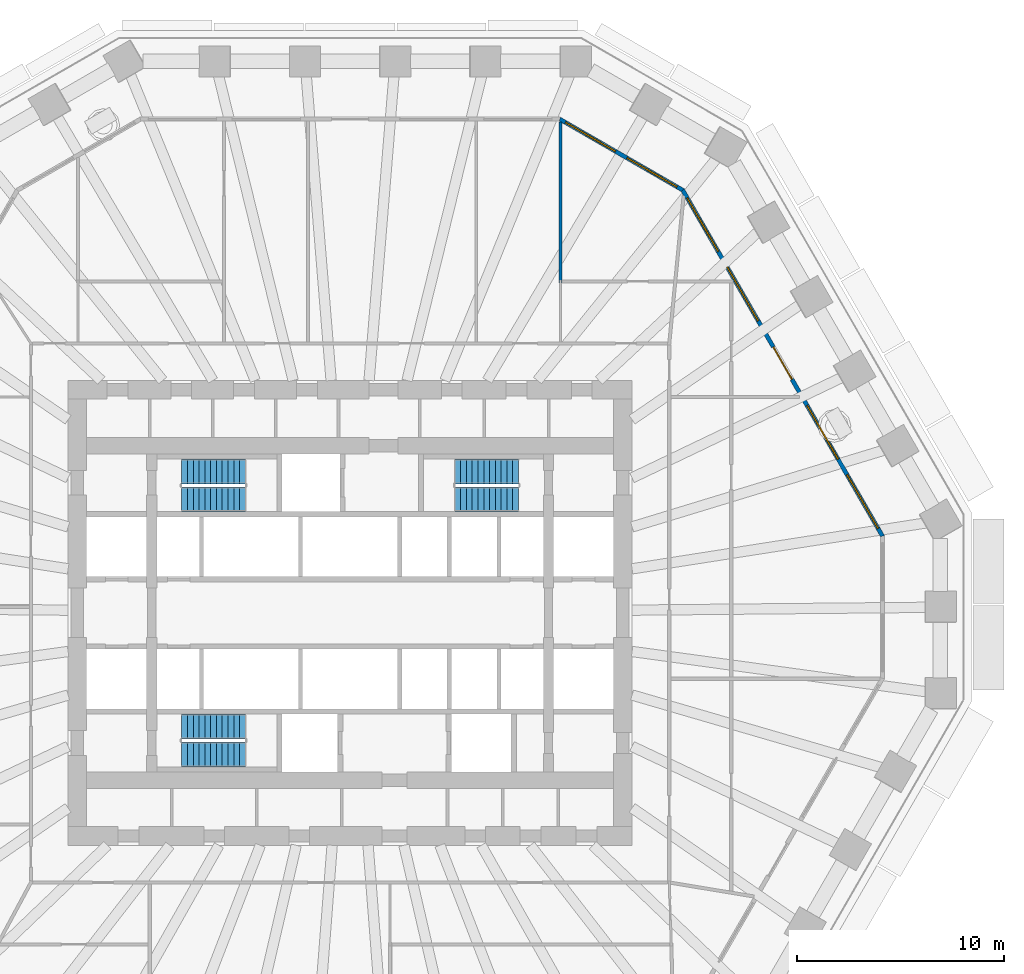
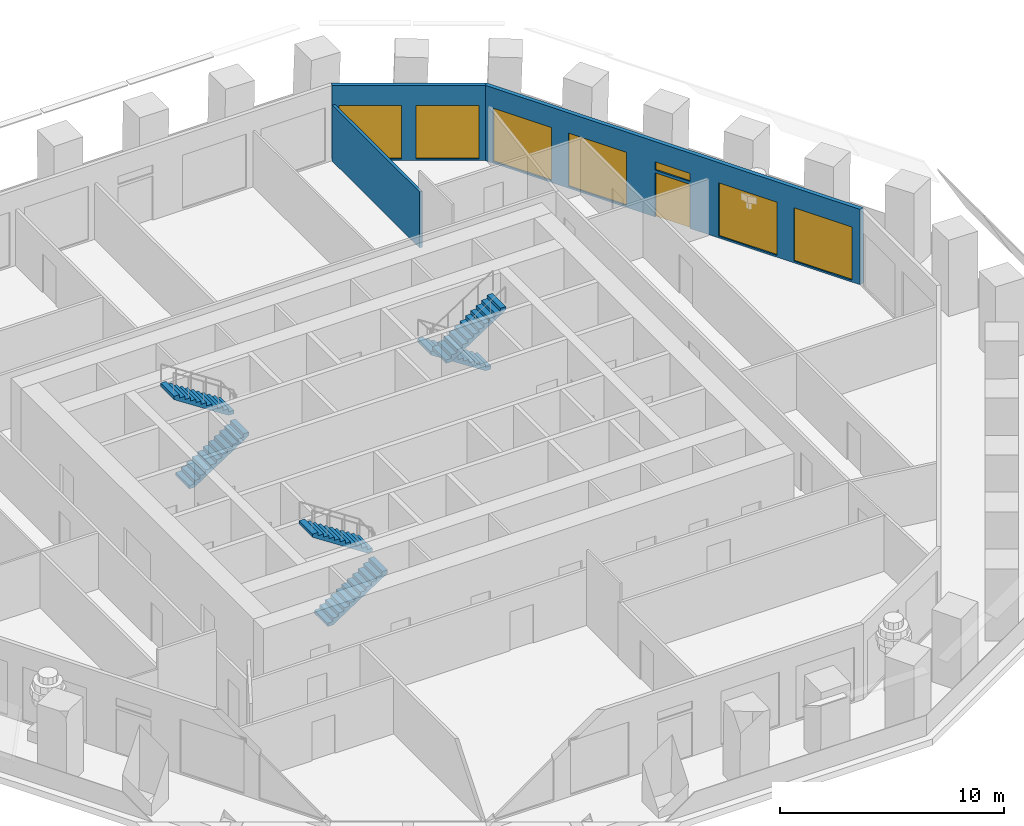
# One storey, part 9 of 13: 7 windows, 6 stair flights, 3 walls, 1 door, 8 openings, 3 elements without a shape of their own.
"""IFC4 building model written with IfcOpenShell, lengths in metres."""

from ifc_helpers import new_model, si_unit, direction, frame, frame_2d, origin, place, context, subcontext, project, spatial, polyline, rectangle, outline, extrude, material, layer, layer_set, type_object, element, fill, aggregate, save


model = new_model("IFC4")

# Units and contexts
model_context = context("Model", 3, precision=1e-05, world=origin(), true_north=direction((0.0, 1.0)))
body_context = subcontext(model_context, "Body", "Model", "MODEL_VIEW")
ifc_project = project(units=[si_unit("LENGTHUNIT", "METRE"), si_unit("AREAUNIT", "SQUARE_METRE"), si_unit("VOLUMEUNIT", "CUBIC_METRE"), si_unit("PLANEANGLEUNIT", "RADIAN"), si_unit("MASSUNIT", "GRAM", prefix="KILO")], contexts=[model_context])

# Site, building, storey
site_placement = place(None, origin())
site = spatial("IfcSite", under=ifc_project, at=site_placement, CompositionType="ELEMENT")
building_placement = place(site_placement, origin())
building = spatial("IfcBuilding", under=site, at=building_placement, Name="Frailejon Research Tower", CompositionType="ELEMENT")
storey_placement = place(building_placement, frame((0.0, 0.0, 23.39990234375)))
storey = spatial("IfcBuildingStorey", under=building, at=storey_placement, Name="L05", CompositionType="ELEMENT", Elevation=23.39990234375)

# Wall
ifc_material_1 = material(Name="Gypsum board and masonry partition", Category="masonry")
ifc_layer_1 = layer(ifc_material_1, 0.14990234375)
ifc_layer_set_1 = layer_set([ifc_layer_1], Name="Laboratory partition, blockwork 150")
wall_type_1 = type_object("IfcWallType", Name="Laboratory partition, blockwork 150", PredefinedType="PARTITIONING", material=ifc_layer_set_1)
wall_1_placement = place(storey_placement, frame((10.17578125, 15.97509765625, 0.0), z_axis=(0.0, 0.0, 1.0), x_axis=(0.0, 1.0, 0.0)))
element("IfcWall", 1, at=wall_1_placement, inside=storey, type_object=wall_type_1, Name="T:IW:L05:011", PredefinedType="PARTITIONING", context=body_context, shape_type="SweptSolid", body=[
    extrude(rectangle(XDim=7.7939453125, YDim=0.14990234375, at=frame_2d((3.89697265625, 0.0))), origin(), (0.0, 0.0, 1.0), 3.050048828125),
])

# Wall, openings, door, windows
ifc_material_2 = material(Name="Concrete C40/50 precast window wall panel", Category="concrete")
ifc_layer_2 = layer(ifc_material_2, 0.199951171875)
ifc_layer_set_2 = layer_set([ifc_layer_2], Name="Window wall 200")
wall_type_2 = type_object("IfcWallType", Name="Window wall 200", PredefinedType="SOLIDWALL", material=ifc_layer_set_2)
wall_2_placement = place(storey_placement, frame((25.7724609375, 3.7138671875, 0.0), z_axis=(0.0, 0.0, 1.0), x_axis=(-0.500000373815, 0.866025187962, 0.0)))
wall_2 = element("IfcWall", 2, at=wall_2_placement, inside=storey, type_object=wall_type_2, Name="Exterior wall L05", PredefinedType="SOLIDWALL", context=body_context, shape_type="SweptSolid", body=[
    extrude(outline(polyline([(-0.02685546875, -0.10009765625), (0.993896484375, -0.10009765625), (2.0146484375, -0.10009765625), (3.035400390625, -0.10009765625), (4.055908203125, -0.10009765625), (5.07666015625, -0.10009765625), (6.097412109375, -0.10009765625), (7.1181640625, -0.10009765625), (8.138916015625, -0.10009765625), (9.15966796875, -0.10009765625), (10.18017578125, -0.10009765625), (11.200927734375, -0.10009765625), (12.2216796875, -0.10009765625), (13.242431640625, -0.10009765625), (14.26318359375, -0.10009765625), (15.283935546875, -0.10009765625), (16.304443359375, -0.10009765625), (17.3251953125, -0.10009765625), (18.345947265625, -0.10009765625), (19.36669921875, -0.10009765625), (19.31298828125, 0.10009765625), (18.2978515625, 0.10009765625), (17.282958984375, 0.10009765625), (16.267822265625, 0.10009765625), (15.252685546875, 0.10009765625), (14.23779296875, 0.10009765625), (13.22265625, 0.10009765625), (12.20751953125, 0.10009765625), (11.192626953125, 0.10009765625), (10.177490234375, 0.10009765625), (9.162353515625, 0.10009765625), (8.147216796875, 0.10009765625), (7.13232421875, 0.10009765625), (6.1171875, 0.10009765625), (5.10205078125, 0.10009765625), (4.087158203125, 0.10009765625), (3.072021484375, 0.10009765625), (2.056884765625, 0.10009765625), (1.0419921875, 0.10009765625), (0.02685546875, 0.10009765625), (-0.02685546875, -0.10009765625)])), origin(), (0.0, 0.0, 1.0), 4.10009765625),
])
opening_1_placement = place(wall_2_placement, frame((0.43408203125, 0.0, 0.10009765625)))
opening_1 = element("IfcOpeningElement", 3, at=opening_1_placement, cuts=wall_2, Name="Opening W4", PredefinedType="OPENING", context=body_context, shape_type="SweptSolid", body=[
    extrude(rectangle(XDim=3.0, YDim=2.89990234375, at=frame_2d((1.5, 1.449951171875))), frame((0.0, 0.10986328125, 0.0), z_axis=(0.0, -1.0, 0.0), x_axis=(1.0, 0.0, 0.0)), (0.0, 0.0, 1.0), 0.219970703125),
])
opening_2_placement = place(wall_2_placement, frame((4.302001953125, 0.0, 0.10009765625)))
opening_2 = element("IfcOpeningElement", 4, at=opening_2_placement, cuts=wall_2, Name="Opening W4", PredefinedType="OPENING", context=body_context, shape_type="SweptSolid", body=[
    extrude(rectangle(XDim=3.0, YDim=2.89990234375, at=frame_2d((1.5, 1.449951171875))), frame((0.0, 0.10986328125, 0.0), z_axis=(0.0, -1.0, 0.0), x_axis=(1.0, 0.0, 0.0)), (0.0, 0.0, 1.0), 0.219970703125),
])
opening_3_placement = place(wall_2_placement, frame((8.77001953125, 0.0, 0.0)))
opening_3 = element("IfcOpeningElement", 5, at=opening_3_placement, cuts=wall_2, Name="Opening LG05-1", PredefinedType="OPENING", context=body_context, shape_type="SweptSolid", body=[
    extrude(rectangle(XDim=1.800048828125, YDim=2.39990234375, at=frame_2d((0.89990234375, 1.199951171875))), frame((0.0, 0.10986328125, 0.0), z_axis=(0.0, -1.0, 0.0), x_axis=(1.0, 0.0, 0.0)), (0.0, 0.0, 1.0), 0.219970703125),
])
opening_4_placement = place(wall_2_placement, frame((8.77001953125, 0.0, 2.550048828125)))
opening_4 = element("IfcOpeningElement", 6, at=opening_4_placement, cuts=wall_2, Name="Opening W1", PredefinedType="OPENING", context=body_context, shape_type="SweptSolid", body=[
    extrude(rectangle(XDim=1.800048828125, YDim=0.449951171875, at=frame_2d((0.89990234375, 0.22509765625))), frame((0.0, 0.10986328125, 0.0), z_axis=(0.0, -1.0, 0.0), x_axis=(1.0, 0.0, 0.0)), (0.0, 0.0, 1.0), 0.219970703125),
])
opening_5_placement = place(wall_2_placement, frame((12.037841796875, 0.0, 0.10009765625)))
opening_5 = element("IfcOpeningElement", 7, at=opening_5_placement, cuts=wall_2, Name="Opening W4", PredefinedType="OPENING", context=body_context, shape_type="SweptSolid", body=[
    extrude(rectangle(XDim=3.0, YDim=2.89990234375, at=frame_2d((1.5, 1.449951171875))), frame((0.0, 0.10986328125, 0.0), z_axis=(0.0, -1.0, 0.0), x_axis=(1.0, 0.0, 0.0)), (0.0, 0.0, 1.0), 0.219970703125),
])
opening_6_placement = place(wall_2_placement, frame((15.906005859375, 0.0, 0.10009765625)))
opening_6 = element("IfcOpeningElement", 8, at=opening_6_placement, cuts=wall_2, Name="Opening W4", PredefinedType="OPENING", context=body_context, shape_type="SweptSolid", body=[
    extrude(rectangle(XDim=3.0, YDim=2.89990234375, at=frame_2d((1.5, 1.449951171875))), frame((0.0, 0.10986328125, 0.0), z_axis=(0.0, -1.0, 0.0), x_axis=(1.0, 0.0, 0.0)), (0.0, 0.0, 1.0), 0.219970703125),
])
ifc_material_3 = material(Name="Aluminium framed glazed door leaf", Category="aluminium")
door_type = type_object("IfcDoorType", Name="Loggia door 1800x2400", OperationType="DOUBLE_DOOR_SINGLE_SWING", PredefinedType="DOOR", material=ifc_material_3)
door_placement = place(opening_3_placement, origin())
door = element("IfcDoor", 9, at=door_placement, inside=storey, type_object=door_type, Name="Door LG05-1", OperationType="DOUBLE_DOOR_SINGLE_SWING", OverallHeight=2.39990234375, OverallWidth=1.800048828125, PredefinedType="DOOR", context=body_context, shape_type="SweptSolid", body=[
    extrude(rectangle(XDim=1.800048828125, YDim=2.39990234375, at=frame_2d((0.89990234375, 1.199951171875))), frame((0.0, 0.02490234375, 0.0), z_axis=(0.0, -1.0, 0.0), x_axis=(1.0, 0.0, 0.0)), (0.0, 0.0, 1.0), 0.050048828125),
])
fill(opening_3, door)
ifc_material_4 = material(Name="Aluminium framed double glazing", Category="aluminium")
window_type_1 = type_object("IfcWindowType", Name="Window 1800x450", PartitioningType="SINGLE_PANEL", PredefinedType="WINDOW", material=ifc_material_4)
window_1_placement = place(opening_4_placement, origin())
window_1 = element("IfcWindow", 10, at=window_1_placement, inside=storey, type_object=window_type_1, Name="Window L05", OverallHeight=0.449951171875, OverallWidth=1.800048828125, PartitioningType="SINGLE_PANEL", PredefinedType="WINDOW", context=body_context, shape_type="SweptSolid", body=[
    extrude(rectangle(XDim=1.800048828125, YDim=0.449951171875, at=frame_2d((0.89990234375, 0.22509765625))), frame((0.0, 0.030029296875, 0.0), z_axis=(0.0, -1.0, 0.0), x_axis=(1.0, 0.0, 0.0)), (0.0, 0.0, 1.0), 0.06005859375),
])
fill(opening_4, window_1)
ifc_material_5 = material(Name="Aluminium framed double glazing", Category="aluminium")
window_type_2 = type_object("IfcWindowType", Name="Window 3000x2900", PartitioningType="SINGLE_PANEL", PredefinedType="WINDOW", material=ifc_material_5)
window_2_placement = place(opening_1_placement, origin())
window_2 = element("IfcWindow", 11, at=window_2_placement, inside=storey, type_object=window_type_2, Name="Window L05", OverallHeight=2.89990234375, OverallWidth=3.0, PartitioningType="SINGLE_PANEL", PredefinedType="WINDOW", context=body_context, shape_type="SweptSolid", body=[
    extrude(rectangle(XDim=3.0, YDim=2.89990234375, at=frame_2d((1.5, 1.449951171875))), frame((0.0, 0.030029296875, 0.0), z_axis=(0.0, -1.0, 0.0), x_axis=(1.0, 0.0, 0.0)), (0.0, 0.0, 1.0), 0.06005859375),
])
fill(opening_1, window_2)
window_3_placement = place(opening_2_placement, origin())
window_3 = element("IfcWindow", 12, at=window_3_placement, inside=storey, type_object=window_type_2, Name="Window L05", OverallHeight=2.89990234375, OverallWidth=3.0, PartitioningType="SINGLE_PANEL", PredefinedType="WINDOW", context=body_context, shape_type="SweptSolid", body=[
    extrude(rectangle(XDim=3.0, YDim=2.89990234375, at=frame_2d((1.5, 1.449951171875))), frame((0.0, 0.030029296875, 0.0), z_axis=(0.0, -1.0, 0.0), x_axis=(1.0, 0.0, 0.0)), (0.0, 0.0, 1.0), 0.06005859375),
])
fill(opening_2, window_3)
window_4_placement = place(opening_5_placement, origin())
window_4 = element("IfcWindow", 13, at=window_4_placement, inside=storey, type_object=window_type_2, Name="Window L05", OverallHeight=2.89990234375, OverallWidth=3.0, PartitioningType="SINGLE_PANEL", PredefinedType="WINDOW", context=body_context, shape_type="SweptSolid", body=[
    extrude(rectangle(XDim=3.0, YDim=2.89990234375, at=frame_2d((1.5, 1.449951171875))), frame((0.0, 0.030029296875, 0.0), z_axis=(0.0, -1.0, 0.0), x_axis=(1.0, 0.0, 0.0)), (0.0, 0.0, 1.0), 0.06005859375),
])
fill(opening_5, window_4)
window_5_placement = place(opening_6_placement, origin())
window_5 = element("IfcWindow", 14, at=window_5_placement, inside=storey, type_object=window_type_2, Name="Window L05", OverallHeight=2.89990234375, OverallWidth=3.0, PartitioningType="SINGLE_PANEL", PredefinedType="WINDOW", context=body_context, shape_type="SweptSolid", body=[
    extrude(rectangle(XDim=3.0, YDim=2.89990234375, at=frame_2d((1.5, 1.449951171875))), frame((0.0, 0.030029296875, 0.0), z_axis=(0.0, -1.0, 0.0), x_axis=(1.0, 0.0, 0.0)), (0.0, 0.0, 1.0), 0.06005859375),
])
fill(opening_6, window_5)

# Wall, openings, windows
wall_3_placement = place(storey_placement, frame((16.1025390625, 20.462646484375, 0.0), z_axis=(0.0, 0.0, 1.0), x_axis=(-0.866029458321, 0.49999297727, 0.0)))
wall_3 = element("IfcWall", 15, at=wall_3_placement, inside=storey, type_object=wall_type_2, Name="Exterior wall L05", PredefinedType="SOLIDWALL", context=body_context, shape_type="SweptSolid", body=[
    extrude(outline(polyline([(-0.02685546875, -0.10009765625), (1.1279296875, -0.10009765625), (2.282470703125, -0.10009765625), (3.437255859375, -0.10009765625), (4.592041015625, -0.10009765625), (5.74658203125, -0.10009765625), (6.9013671875, -0.10009765625), (6.84765625, 0.10009765625), (5.7109375, 0.10009765625), (4.573974609375, 0.10009765625), (3.437255859375, 0.10009765625), (2.300537109375, 0.10009765625), (1.16357421875, 0.10009765625), (0.02685546875, 0.10009765625), (-0.02685546875, -0.10009765625)])), origin(), (0.0, 0.0, 1.0), 4.10009765625),
])
opening_7_placement = place(wall_3_placement, frame((0.318603515625, 0.0, 0.10009765625)))
opening_7 = element("IfcOpeningElement", 16, at=opening_7_placement, cuts=wall_3, Name="Opening W3", PredefinedType="OPENING", context=body_context, shape_type="SweptSolid", body=[
    extrude(rectangle(XDim=2.800048828125, YDim=2.89990234375, at=frame_2d((1.39990234375, 1.449951171875))), frame((0.0, 0.10986328125, 0.0), z_axis=(0.0, -1.0, 0.0), x_axis=(1.0, 0.0, 0.0)), (0.0, 0.0, 1.0), 0.219970703125),
])
opening_8_placement = place(wall_3_placement, frame((3.756103515625, 0.0, 0.10009765625)))
opening_8 = element("IfcOpeningElement", 17, at=opening_8_placement, cuts=wall_3, Name="Opening W3", PredefinedType="OPENING", context=body_context, shape_type="SweptSolid", body=[
    extrude(rectangle(XDim=2.800048828125, YDim=2.89990234375, at=frame_2d((1.39990234375, 1.449951171875))), frame((0.0, 0.10986328125, 0.0), z_axis=(0.0, -1.0, 0.0), x_axis=(1.0, 0.0, 0.0)), (0.0, 0.0, 1.0), 0.219970703125),
])
ifc_material_6 = material(Name="Aluminium framed double glazing", Category="aluminium")
window_type_3 = type_object("IfcWindowType", Name="Window 2800x2900", PartitioningType="SINGLE_PANEL", PredefinedType="WINDOW", material=ifc_material_6)
window_6_placement = place(opening_7_placement, origin())
window_6 = element("IfcWindow", 18, at=window_6_placement, inside=storey, type_object=window_type_3, Name="Window L05", OverallHeight=2.89990234375, OverallWidth=2.800048828125, PartitioningType="SINGLE_PANEL", PredefinedType="WINDOW", context=body_context, shape_type="SweptSolid", body=[
    extrude(rectangle(XDim=2.800048828125, YDim=2.89990234375, at=frame_2d((1.39990234375, 1.449951171875))), frame((0.0, 0.030029296875, 0.0), z_axis=(0.0, -1.0, 0.0), x_axis=(1.0, 0.0, 0.0)), (0.0, 0.0, 1.0), 0.06005859375),
])
fill(opening_7, window_6)
window_7_placement = place(opening_8_placement, origin())
window_7 = element("IfcWindow", 19, at=window_7_placement, inside=storey, type_object=window_type_3, Name="Window L05", OverallHeight=2.89990234375, OverallWidth=2.800048828125, PartitioningType="SINGLE_PANEL", PredefinedType="WINDOW", context=body_context, shape_type="SweptSolid", body=[
    extrude(rectangle(XDim=2.800048828125, YDim=2.89990234375, at=frame_2d((1.39990234375, 1.449951171875))), frame((0.0, 0.030029296875, 0.0), z_axis=(0.0, -1.0, 0.0), x_axis=(1.0, 0.0, 0.0)), (0.0, 0.0, 1.0), 0.06005859375),
])
fill(opening_8, window_7)

# Stair, stair flights
ifc_material_7 = material(Name="Concrete C50/60", Category="concrete")
stair_type = type_object("IfcStairType", Name="Exit stair 24 risers", PredefinedType="HALF_TURN_STAIR", material=ifc_material_7)
stair_1_placement = place(storey_placement, origin())
stair_1 = element("IfcStair", 20, at=stair_1_placement, inside=storey, type_object=stair_type, Name="L05 Exit stair ST1", PredefinedType="HALF_TURN_STAIR")
ifc_material_8 = material(Name="Concrete C50/60", Category="concrete")
ifc_layer_3 = layer(ifc_material_8, 0.14990234375)
ifc_layer_set_3 = layer_set([ifc_layer_3], Name="Stair flight 12 risers")
stair_flight_type = type_object("IfcStairFlightType", Name="Stair flight 12 risers", PredefinedType="STRAIGHT", material=ifc_layer_set_3)
stair_flight_1_placement = place(storey_placement, frame((-8.14990234375, 5.5, 0.0), z_axis=(0.0, 0.0, 1.0), x_axis=(1.0, 0.0, 0.0)))
stair_flight_1 = element("IfcStairFlight", 21, at=stair_flight_1_placement, type_object=stair_flight_type, Name="ST1 flight 1", NumberOfRisers=12, NumberOfTreads=11, PredefinedType="STRAIGHT", RiserHeight=0.183333333, TreadLength=0.28, context=body_context, shape_type="SweptSolid", body=[
    extrude(outline(polyline([(0.0, 0.0), (0.0, 0.183349609375), (0.280029296875, 0.183349609375), (0.280029296875, 0.36669921875), (0.56005859375, 0.36669921875), (0.56005859375, 0.550048828125), (0.840087890625, 0.550048828125), (0.840087890625, 0.7333984375), (1.1201171875, 0.7333984375), (1.1201171875, 0.916748046875), (1.39990234375, 0.916748046875), (1.39990234375, 1.10009765625), (1.679931640625, 1.10009765625), (1.679931640625, 1.283447265625), (1.9599609375, 1.283447265625), (1.9599609375, 1.466552734375), (2.239990234375, 1.466552734375), (2.239990234375, 1.64990234375), (2.52001953125, 1.64990234375), (2.52001953125, 1.833251953125), (2.800048828125, 1.833251953125), (2.800048828125, 2.0166015625), (3.080078125, 2.0166015625), (3.080078125, 2.199951171875), (3.080078125, 1.83740234375), (0.273681640625, 0.0), (0.0, 0.0)])), frame((0.0, 0.60009765625, 0.0), z_axis=(0.0, -1.0, 0.0), x_axis=(1.0, 0.0, 0.0)), (0.0, 0.0, 1.0), 1.199951171875),
])
stair_flight_2_placement = place(storey_placement, frame((-5.070068359375, 6.85009765625, 2.2001953125), z_axis=(0.0, 0.0, 1.0), x_axis=(-1.0, 0.0, 0.0)))
stair_flight_2 = element("IfcStairFlight", 22, at=stair_flight_2_placement, type_object=stair_flight_type, Name="ST1 flight 2", NumberOfRisers=12, NumberOfTreads=11, PredefinedType="STRAIGHT", RiserHeight=0.183333333, TreadLength=0.28, context=body_context, shape_type="SweptSolid", body=[
    extrude(outline(polyline([(0.0, 0.0), (0.0, 0.183349609375), (0.280029296875, 0.183349609375), (0.280029296875, 0.36669921875), (0.56005859375, 0.36669921875), (0.56005859375, 0.550048828125), (0.840087890625, 0.550048828125), (0.840087890625, 0.7333984375), (1.1201171875, 0.7333984375), (1.1201171875, 0.916748046875), (1.39990234375, 0.916748046875), (1.39990234375, 1.10009765625), (1.679931640625, 1.10009765625), (1.679931640625, 1.283447265625), (1.9599609375, 1.283447265625), (1.9599609375, 1.466552734375), (2.239990234375, 1.466552734375), (2.239990234375, 1.64990234375), (2.52001953125, 1.64990234375), (2.52001953125, 1.833251953125), (2.800048828125, 1.833251953125), (2.800048828125, 2.0166015625), (3.080078125, 2.0166015625), (3.080078125, 2.199951171875), (3.080078125, 1.83740234375), (0.273681640625, 0.0), (0.0, 0.0)])), frame((0.0, 0.60009765625, 0.0), z_axis=(0.0, -1.0, 0.0), x_axis=(1.0, 0.0, 0.0)), (0.0, 0.0, 1.0), 1.199951171875),
])
aggregate(stair_1, [stair_flight_1, stair_flight_2])

stair_2_placement = place(storey_placement, origin())
stair_2 = element("IfcStair", 23, at=stair_2_placement, inside=storey, type_object=stair_type, Name="L05 Exit stair ST2", PredefinedType="HALF_TURN_STAIR")
stair_flight_3_placement = place(storey_placement, frame((-8.14990234375, -6.85009765625, 0.0), z_axis=(0.0, 0.0, 1.0), x_axis=(1.0, 0.0, 0.0)))
stair_flight_3 = element("IfcStairFlight", 24, at=stair_flight_3_placement, type_object=stair_flight_type, Name="ST2 flight 1", NumberOfRisers=12, NumberOfTreads=11, PredefinedType="STRAIGHT", RiserHeight=0.183333333, TreadLength=0.28, context=body_context, shape_type="SweptSolid", body=[
    extrude(outline(polyline([(0.0, 0.0), (0.0, 0.183349609375), (0.280029296875, 0.183349609375), (0.280029296875, 0.36669921875), (0.56005859375, 0.36669921875), (0.56005859375, 0.550048828125), (0.840087890625, 0.550048828125), (0.840087890625, 0.7333984375), (1.1201171875, 0.7333984375), (1.1201171875, 0.916748046875), (1.39990234375, 0.916748046875), (1.39990234375, 1.10009765625), (1.679931640625, 1.10009765625), (1.679931640625, 1.283447265625), (1.9599609375, 1.283447265625), (1.9599609375, 1.466552734375), (2.239990234375, 1.466552734375), (2.239990234375, 1.64990234375), (2.52001953125, 1.64990234375), (2.52001953125, 1.833251953125), (2.800048828125, 1.833251953125), (2.800048828125, 2.0166015625), (3.080078125, 2.0166015625), (3.080078125, 2.199951171875), (3.080078125, 1.83740234375), (0.273681640625, 0.0), (0.0, 0.0)])), frame((0.0, 0.60009765625, 0.0), z_axis=(0.0, -1.0, 0.0), x_axis=(1.0, 0.0, 0.0)), (0.0, 0.0, 1.0), 1.199951171875),
])
stair_flight_4_placement = place(storey_placement, frame((-5.070068359375, -5.5, 2.2001953125), z_axis=(0.0, 0.0, 1.0), x_axis=(-1.0, 0.0, 0.0)))
stair_flight_4 = element("IfcStairFlight", 25, at=stair_flight_4_placement, type_object=stair_flight_type, Name="ST2 flight 2", NumberOfRisers=12, NumberOfTreads=11, PredefinedType="STRAIGHT", RiserHeight=0.183333333, TreadLength=0.28, context=body_context, shape_type="SweptSolid", body=[
    extrude(outline(polyline([(0.0, 0.0), (0.0, 0.183349609375), (0.280029296875, 0.183349609375), (0.280029296875, 0.36669921875), (0.56005859375, 0.36669921875), (0.56005859375, 0.550048828125), (0.840087890625, 0.550048828125), (0.840087890625, 0.7333984375), (1.1201171875, 0.7333984375), (1.1201171875, 0.916748046875), (1.39990234375, 0.916748046875), (1.39990234375, 1.10009765625), (1.679931640625, 1.10009765625), (1.679931640625, 1.283447265625), (1.9599609375, 1.283447265625), (1.9599609375, 1.466552734375), (2.239990234375, 1.466552734375), (2.239990234375, 1.64990234375), (2.52001953125, 1.64990234375), (2.52001953125, 1.833251953125), (2.800048828125, 1.833251953125), (2.800048828125, 2.0166015625), (3.080078125, 2.0166015625), (3.080078125, 2.199951171875), (3.080078125, 1.83740234375), (0.273681640625, 0.0), (0.0, 0.0)])), frame((0.0, 0.60009765625, 0.0), z_axis=(0.0, -1.0, 0.0), x_axis=(1.0, 0.0, 0.0)), (0.0, 0.0, 1.0), 1.199951171875),
])
aggregate(stair_2, [stair_flight_3, stair_flight_4])

stair_3_placement = place(storey_placement, origin())
stair_3 = element("IfcStair", 26, at=stair_3_placement, inside=storey, type_object=stair_type, Name="L05 Exit stair ST3", PredefinedType="HALF_TURN_STAIR")
stair_flight_5_placement = place(storey_placement, frame((8.14990234375, 6.85009765625, 0.0), z_axis=(0.0, 0.0, 1.0), x_axis=(-1.0, 0.0, 0.0)))
stair_flight_5 = element("IfcStairFlight", 27, at=stair_flight_5_placement, type_object=stair_flight_type, Name="ST3 flight 1", NumberOfRisers=12, NumberOfTreads=11, PredefinedType="STRAIGHT", RiserHeight=0.183333333, TreadLength=0.28, context=body_context, shape_type="SweptSolid", body=[
    extrude(outline(polyline([(0.0, 0.0), (0.0, 0.183349609375), (0.280029296875, 0.183349609375), (0.280029296875, 0.36669921875), (0.56005859375, 0.36669921875), (0.56005859375, 0.550048828125), (0.840087890625, 0.550048828125), (0.840087890625, 0.7333984375), (1.1201171875, 0.7333984375), (1.1201171875, 0.916748046875), (1.39990234375, 0.916748046875), (1.39990234375, 1.10009765625), (1.679931640625, 1.10009765625), (1.679931640625, 1.283447265625), (1.9599609375, 1.283447265625), (1.9599609375, 1.466552734375), (2.239990234375, 1.466552734375), (2.239990234375, 1.64990234375), (2.52001953125, 1.64990234375), (2.52001953125, 1.833251953125), (2.800048828125, 1.833251953125), (2.800048828125, 2.0166015625), (3.080078125, 2.0166015625), (3.080078125, 2.199951171875), (3.080078125, 1.83740234375), (0.273681640625, 0.0), (0.0, 0.0)])), frame((0.0, 0.60009765625, 0.0), z_axis=(0.0, -1.0, 0.0), x_axis=(1.0, 0.0, 0.0)), (0.0, 0.0, 1.0), 1.199951171875),
])
stair_flight_6_placement = place(storey_placement, frame((5.070068359375, 5.5, 2.2001953125), z_axis=(0.0, 0.0, 1.0), x_axis=(1.0, 0.0, 0.0)))
stair_flight_6 = element("IfcStairFlight", 28, at=stair_flight_6_placement, type_object=stair_flight_type, Name="ST3 flight 2", NumberOfRisers=12, NumberOfTreads=11, PredefinedType="STRAIGHT", RiserHeight=0.183333333, TreadLength=0.28, context=body_context, shape_type="SweptSolid", body=[
    extrude(outline(polyline([(0.0, 0.0), (0.0, 0.183349609375), (0.280029296875, 0.183349609375), (0.280029296875, 0.36669921875), (0.56005859375, 0.36669921875), (0.56005859375, 0.550048828125), (0.840087890625, 0.550048828125), (0.840087890625, 0.7333984375), (1.1201171875, 0.7333984375), (1.1201171875, 0.916748046875), (1.39990234375, 0.916748046875), (1.39990234375, 1.10009765625), (1.679931640625, 1.10009765625), (1.679931640625, 1.283447265625), (1.9599609375, 1.283447265625), (1.9599609375, 1.466552734375), (2.239990234375, 1.466552734375), (2.239990234375, 1.64990234375), (2.52001953125, 1.64990234375), (2.52001953125, 1.833251953125), (2.800048828125, 1.833251953125), (2.800048828125, 2.0166015625), (3.080078125, 2.0166015625), (3.080078125, 2.199951171875), (3.080078125, 1.83740234375), (0.273681640625, 0.0), (0.0, 0.0)])), frame((0.0, 0.60009765625, 0.0), z_axis=(0.0, -1.0, 0.0), x_axis=(1.0, 0.0, 0.0)), (0.0, 0.0, 1.0), 1.199951171875),
])
aggregate(stair_3, [stair_flight_5, stair_flight_6])

save(model, "model.ifc")
